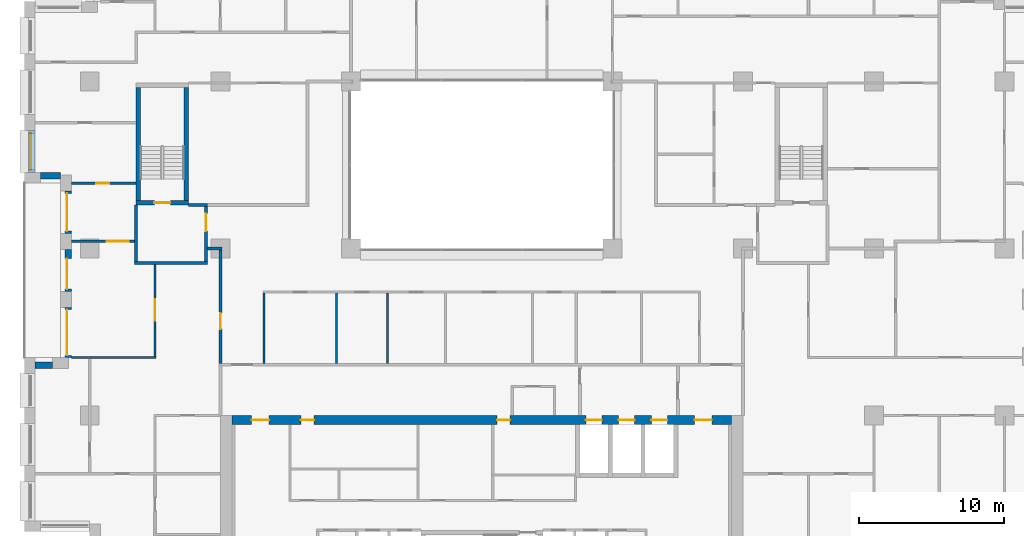
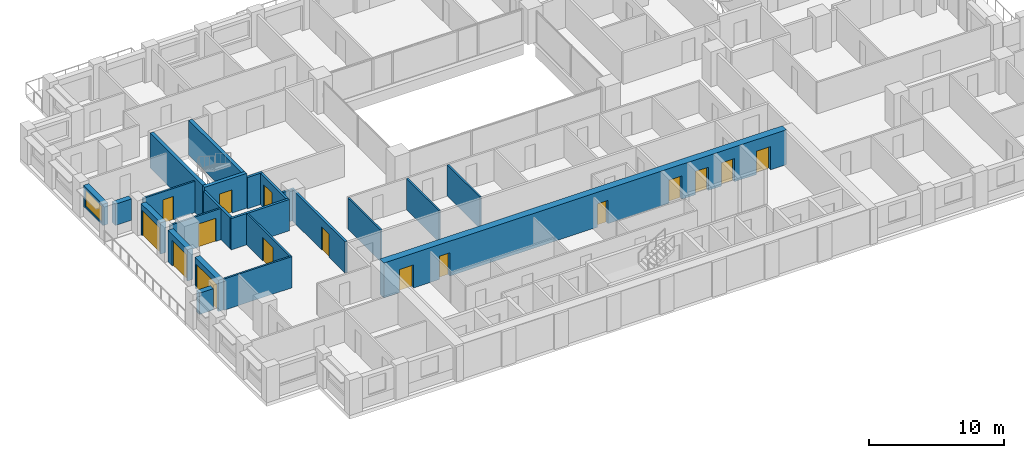
# One storey, part 9 of 17: 23 walls, 16 doors, 1 window, 17 openings.
"""IFC4 building model written with IfcOpenShell, lengths in metres."""

from ifc_helpers import new_model, si_unit, direction, frame, frame_2d, origin, place, context, subcontext, project, spatial, rectangle, extrude, material, layer, layer_set, type_object, element, fill, save


model = new_model("IFC4")

# Units and contexts
model_context = context("Model", 3, precision=1e-05, world=origin(), true_north=direction((0.0, 1.0)))
body_context = subcontext(model_context, "Body", "Model", "MODEL_VIEW")
ifc_project = project(units=[si_unit("LENGTHUNIT", "METRE"), si_unit("AREAUNIT", "SQUARE_METRE"), si_unit("VOLUMEUNIT", "CUBIC_METRE"), si_unit("PLANEANGLEUNIT", "RADIAN"), si_unit("MASSUNIT", "GRAM", prefix="KILO")], contexts=[model_context])

# Site, building, storey
site_placement = place(None, origin())
site = spatial("IfcSite", under=ifc_project, at=site_placement, CompositionType="ELEMENT")
building_placement = place(site_placement, origin())
building = spatial("IfcBuilding", under=site, at=building_placement, Name="Brigalow Station Residences", CompositionType="ELEMENT")
storey_placement = place(building_placement, frame((0.0, 0.0, 96.14990234375)))
storey = spatial("IfcBuildingStorey", under=building, at=storey_placement, Name="L27", CompositionType="ELEMENT", Elevation=96.14990234375)

# Wall, opening, window
ifc_material_1 = material(Name="Clay brick masonry", Category="masonry")
ifc_layer_1 = layer(ifc_material_1, 0.449951171875)
ifc_layer_set_1 = layer_set([ifc_layer_1], Name="BRICK INFILL WALL 450")
wall_type_1 = type_object("IfcWallType", Name="BRICK INFILL WALL 450", PredefinedType="SOLIDWALL", material=ifc_layer_set_1)
wall_1_placement = place(storey_placement, frame((5.02490234375, 32.116943359375, 0.900146484375), z_axis=(0.0, 0.0, 1.0), x_axis=(0.0, -1.0, 0.0)))
wall_1 = element("IfcWall", 1, at=wall_1_placement, inside=storey, type_object=wall_type_1, Name="L27/ewall/W-L27-41", PredefinedType="SOLIDWALL", context=body_context, shape_type="SweptSolid", body=[
    extrude(rectangle(XDim=2.866943359375, YDim=0.449951171875, at=frame_2d((1.43359375, 0.0))), origin(), (0.0, 0.0, 1.0), 1.929931640625),
])
opening_1_placement = place(wall_1_placement, frame((0.18359375, 0.0, 0.14990234375)))
opening_1 = element("IfcOpeningElement", 2, at=opening_1_placement, cuts=wall_1, Name="Opening WT-5", PredefinedType="OPENING", context=body_context, shape_type="SweptSolid", body=[
    extrude(rectangle(XDim=2.5, YDim=1.5, at=frame_2d((1.25, 0.75))), frame((0.0, 0.23486328125, 0.0), z_axis=(0.0, -1.0, 0.0), x_axis=(1.0, 0.0, 0.0)), (0.0, 0.0, 1.0), 0.469970703125),
])
ifc_material_2 = material(Name="Anodised aluminium frame with double glazing", Category="aluminium")
window_type = type_object("IfcWindowType", Name="WINDOW 2500x1500", PartitioningType="SINGLE_PANEL", PredefinedType="WINDOW", material=ifc_material_2)
window_placement = place(opening_1_placement, origin())
window = element("IfcWindow", 3, at=window_placement, inside=storey, type_object=window_type, Name="L27/window/W-L27-41", OverallHeight=1.5, OverallWidth=2.5, PartitioningType="SINGLE_PANEL", PredefinedType="WINDOW", context=body_context, shape_type="SweptSolid", body=[
    extrude(rectangle(XDim=2.5, YDim=1.5, at=frame_2d((1.25, 0.75))), frame((0.0, -0.06494140625, 0.0), z_axis=(0.0, -1.0, 0.0), x_axis=(1.0, 0.0, 0.0)), (0.0, 0.0, 1.0), 0.06005859375),
])
fill(opening_1, window)

# Wall
wall_2_placement = place(storey_placement, frame((5.60009765625, 29.02490234375, 0.900146484375), z_axis=(0.0, 0.0, 1.0), x_axis=(1.0, 0.0, 0.0)))
element("IfcWall", 4, at=wall_2_placement, inside=storey, type_object=wall_type_1, Name="L27/ewall/W-L27-42", PredefinedType="SOLIDWALL", context=body_context, shape_type="SweptSolid", body=[
    extrude(rectangle(XDim=1.39990234375, YDim=0.449951171875, at=frame_2d((0.699951171875, 0.0))), origin(), (0.0, 0.0, 1.0), 1.929931640625),
])

# Wall, opening, door
wall_3_placement = place(storey_placement, frame((7.52490234375, 27.949951171875, 0.0), z_axis=(0.0, 0.0, 1.0), x_axis=(0.0, -1.0, 0.0)))
wall_3 = element("IfcWall", 5, at=wall_3_placement, inside=storey, type_object=wall_type_1, Name="L27/ewall/W-L27-43", PredefinedType="SOLIDWALL", context=body_context, shape_type="SweptSolid", body=[
    extrude(rectangle(XDim=2.89990234375, YDim=0.449951171875, at=frame_2d((1.449951171875, 0.0))), origin(), (0.0, 0.0, 1.0), 2.830078125),
])
opening_2_placement = place(wall_3_placement, frame((0.14990234375, 0.0, 0.0)))
opening_2 = element("IfcOpeningElement", 6, at=opening_2_placement, cuts=wall_3, Name="Opening D-B2600", PredefinedType="OPENING", context=body_context, shape_type="SweptSolid", body=[
    extrude(rectangle(XDim=2.60009765625, YDim=2.300048828125, at=frame_2d((1.300048828125, 1.14990234375))), frame((0.0, 0.23486328125, 0.0), z_axis=(0.0, -1.0, 0.0), x_axis=(1.0, 0.0, 0.0)), (0.0, 0.0, 1.0), 0.469970703125),
])
ifc_material_3 = material(Name="Anodised aluminium frame with double glazing", Category="aluminium")
door_type_1 = type_object("IfcDoorType", Name="BALCONY SLIDING DOOR 2600x2300", OperationType="SLIDING_TO_LEFT", PredefinedType="DOOR", material=ifc_material_3)
door_1_placement = place(opening_2_placement, origin())
door_1 = element("IfcDoor", 7, at=door_1_placement, inside=storey, type_object=door_type_1, Name="L27/balcony-door/W-L27-43", OperationType="SLIDING_TO_LEFT", OverallHeight=2.300048828125, OverallWidth=2.60009765625, PredefinedType="DOOR", context=body_context, shape_type="SweptSolid", body=[
    extrude(rectangle(XDim=2.60009765625, YDim=2.300048828125, at=frame_2d((1.300048828125, 1.14990234375))), frame((0.0, -0.06982421875, 0.0), z_axis=(0.0, -1.0, 0.0), x_axis=(1.0, 0.0, 0.0)), (0.0, 0.0, 1.0), 0.050048828125),
])
fill(opening_2, door_1)

wall_4_placement = place(storey_placement, frame((7.52490234375, 23.949951171875, 0.0), z_axis=(0.0, 0.0, 1.0), x_axis=(0.0, -1.0, 0.0)))
wall_4 = element("IfcWall", 8, at=wall_4_placement, inside=storey, type_object=wall_type_1, Name="L27/ewall/W-L27-44", PredefinedType="SOLIDWALL", context=body_context, shape_type="SweptSolid", body=[
    extrude(rectangle(XDim=2.89990234375, YDim=0.449951171875, at=frame_2d((1.449951171875, 0.0))), origin(), (0.0, 0.0, 1.0), 2.830078125),
])
opening_3_placement = place(wall_4_placement, frame((0.635009765625, 0.0, 0.0)))
opening_3 = element("IfcOpeningElement", 9, at=opening_3_placement, cuts=wall_4, Name="Opening D-B2100", PredefinedType="OPENING", context=body_context, shape_type="SweptSolid", body=[
    extrude(rectangle(XDim=2.10009765625, YDim=2.300048828125, at=frame_2d((1.050048828125, 1.14990234375))), frame((0.0, 0.23486328125, 0.0), z_axis=(0.0, -1.0, 0.0), x_axis=(1.0, 0.0, 0.0)), (0.0, 0.0, 1.0), 0.469970703125),
])
ifc_material_4 = material(Name="Anodised aluminium frame with double glazing", Category="aluminium")
door_type_2 = type_object("IfcDoorType", Name="BALCONY SLIDING DOOR 2100x2300", OperationType="SLIDING_TO_LEFT", PredefinedType="DOOR", material=ifc_material_4)
door_2_placement = place(opening_3_placement, origin())
door_2 = element("IfcDoor", 10, at=door_2_placement, inside=storey, type_object=door_type_2, Name="L27/balcony-door/W-L27-44", OperationType="SLIDING_TO_LEFT", OverallHeight=2.300048828125, OverallWidth=2.10009765625, PredefinedType="DOOR", context=body_context, shape_type="SweptSolid", body=[
    extrude(rectangle(XDim=2.10009765625, YDim=2.300048828125, at=frame_2d((1.050048828125, 1.14990234375))), frame((0.0, -0.06982421875, 0.0), z_axis=(0.0, -1.0, 0.0), x_axis=(1.0, 0.0, 0.0)), (0.0, 0.0, 1.0), 0.050048828125),
])
fill(opening_3, door_2)

wall_5_placement = place(storey_placement, frame((7.52490234375, 19.949951171875, 0.0), z_axis=(0.0, 0.0, 1.0), x_axis=(0.0, -1.0, 0.0)))
wall_5 = element("IfcWall", 11, at=wall_5_placement, inside=storey, type_object=wall_type_1, Name="L27/ewall/W-L27-45", PredefinedType="SOLIDWALL", context=body_context, shape_type="SweptSolid", body=[
    extrude(rectangle(XDim=3.449951171875, YDim=0.449951171875, at=frame_2d((1.72509765625, 0.0))), origin(), (0.0, 0.0, 1.0), 2.830078125),
])
opening_4_placement = place(wall_5_placement, frame((0.14990234375, 0.0, 0.0)))
opening_4 = element("IfcOpeningElement", 12, at=opening_4_placement, cuts=wall_5, Name="Opening D-B3150", PredefinedType="OPENING", context=body_context, shape_type="SweptSolid", body=[
    extrude(rectangle(XDim=3.14990234375, YDim=2.300048828125, at=frame_2d((1.574951171875, 1.14990234375))), frame((0.0, 0.23486328125, 0.0), z_axis=(0.0, -1.0, 0.0), x_axis=(1.0, 0.0, 0.0)), (0.0, 0.0, 1.0), 0.469970703125),
])
ifc_material_5 = material(Name="Anodised aluminium frame with double glazing", Category="aluminium")
door_type_3 = type_object("IfcDoorType", Name="BALCONY SLIDING DOOR 3150x2300", OperationType="SLIDING_TO_LEFT", PredefinedType="DOOR", material=ifc_material_5)
door_3_placement = place(opening_4_placement, origin())
door_3 = element("IfcDoor", 13, at=door_3_placement, inside=storey, type_object=door_type_3, Name="L27/balcony-door/W-L27-45", OperationType="SLIDING_TO_LEFT", OverallHeight=2.300048828125, OverallWidth=3.14990234375, PredefinedType="DOOR", context=body_context, shape_type="SweptSolid", body=[
    extrude(rectangle(XDim=3.14990234375, YDim=2.300048828125, at=frame_2d((1.574951171875, 1.14990234375))), frame((0.0, -0.06982421875, 0.0), z_axis=(0.0, -1.0, 0.0), x_axis=(1.0, 0.0, 0.0)), (0.0, 0.0, 1.0), 0.050048828125),
])
fill(opening_4, door_3)

# Wall
wall_6_placement = place(storey_placement, frame((6.449951171875, 15.97509765625, 0.900146484375), z_axis=(0.0, 0.0, 1.0), x_axis=(-1.0, 0.0, 0.0)))
element("IfcWall", 14, at=wall_6_placement, inside=storey, type_object=wall_type_1, Name="L27/ewall/W-L27-46", PredefinedType="SOLIDWALL", context=body_context, shape_type="SweptSolid", body=[
    extrude(rectangle(XDim=1.199951171875, YDim=0.449951171875, at=frame_2d((0.60009765625, 0.0))), origin(), (0.0, 0.0, 1.0), 1.929931640625),
])

# Wall, opening, door
ifc_material_6 = material(Name="Concrete C65", Category="concrete")
ifc_layer_2 = layer(ifc_material_6, 0.300048828125)
ifc_layer_set_2 = layer_set([ifc_layer_2], Name="CORE SHEAR WALL 300 C65")
wall_type_2 = type_object("IfcWallType", Name="CORE SHEAR WALL 300 C65", PredefinedType="SHEAR", material=ifc_layer_set_2)
wall_7_placement = place(storey_placement, frame((12.199951171875, 27.14990234375, 0.0), z_axis=(0.0, 0.0, 1.0), x_axis=(1.0, 0.0, 0.0)))
wall_7 = element("IfcWall", 15, at=wall_7_placement, inside=storey, type_object=wall_type_2, Name="CORE WALL ST-S1-S L27", PredefinedType="SHEAR", context=body_context, shape_type="SweptSolid", body=[
    extrude(rectangle(XDim=3.60009765625, YDim=0.300048828125, at=frame_2d((1.800048828125, 0.0))), origin(), (0.0, 0.0, 1.0), 3.150146484375),
])
opening_5_placement = place(wall_7_placement, frame((1.25, 0.0, 0.0)))
opening_5 = element("IfcOpeningElement", 16, at=opening_5_placement, cuts=wall_7, Name="Opening D-5015", PredefinedType="OPENING", context=body_context, shape_type="SweptSolid", body=[
    extrude(rectangle(XDim=1.10009765625, YDim=2.10009765625, at=frame_2d((0.550048828125, 1.050048828125))), frame((0.0, 0.16015625, 0.0), z_axis=(0.0, -1.0, 0.0), x_axis=(1.0, 0.0, 0.0)), (0.0, 0.0, 1.0), 0.320068359375),
])
ifc_material_7 = material(Name="Steel fire door leaf in steel frame", Category="steel")
door_type_4 = type_object("IfcDoorType", Name="STAIR DOOR 1100 x 2100 FD60S", OperationType="SINGLE_SWING_LEFT", PredefinedType="DOOR", material=ifc_material_7)
door_4_placement = place(opening_5_placement, origin())
door_4 = element("IfcDoor", 17, at=door_4_placement, inside=storey, type_object=door_type_4, Name="D-5015", OperationType="SINGLE_SWING_LEFT", OverallHeight=2.10009765625, OverallWidth=1.10009765625, PredefinedType="DOOR", context=body_context, shape_type="SweptSolid", body=[
    extrude(rectangle(XDim=1.10009765625, YDim=2.10009765625, at=frame_2d((0.550048828125, 1.050048828125))), frame((0.0, 0.02490234375, 0.0), z_axis=(0.0, -1.0, 0.0), x_axis=(1.0, 0.0, 0.0)), (0.0, 0.0, 1.0), 0.050048828125),
])
fill(opening_5, door_4)

# Walls
for number, where, z_axis, x_axis, name in (
    (18, (12.35009765625, 27.300048828125, 0.0), (0.0, 0.0, 1.0), (0.0, 1.0, 0.0), "CORE WALL ST-S1-W L27"),
    (19, (15.64990234375, 27.300048828125, 0.0), (0.0, 0.0, 1.0), (0.0, 1.0, 0.0), "CORE WALL ST-S1-E L27"),
):
    element("IfcWall", number, at=place(storey_placement, frame(where, z_axis=z_axis, x_axis=x_axis)), inside=storey, type_object=wall_type_2, Name=name, PredefinedType="SHEAR", context=body_context, shape_type="SweptSolid", body=[
        extrude(rectangle(XDim=7.800048828125, YDim=0.300048828125, at=frame_2d((3.89990234375, 0.0))), origin(), (0.0, 0.0, 1.0), 3.150146484375),
    ])

# Wall, openings, doors
ifc_material_8 = material(Name="Concrete C65", Category="concrete")
ifc_layer_3 = layer(ifc_material_8, 0.60009765625)
ifc_layer_set_3 = layer_set([ifc_layer_3], Name="CORE SHEAR WALL 600 C65")
wall_type_3 = type_object("IfcWallType", Name="CORE SHEAR WALL 600 C65", PredefinedType="SHEAR", material=ifc_layer_set_3)
wall_8_placement = place(storey_placement, frame((18.800048828125, 12.199951171875, 0.0), z_axis=(0.0, 0.0, 1.0), x_axis=(1.0, 0.0, 0.0)))
wall_8 = element("IfcWall", 20, at=wall_8_placement, inside=storey, type_object=wall_type_3, Name="CORE WALL OUT-N L27", PredefinedType="SHEAR", context=body_context, shape_type="SweptSolid", body=[
    extrude(rectangle(XDim=34.39990234375, YDim=0.60009765625, at=frame_2d((17.199951171875, 0.0))), origin(), (0.0, 0.0, 1.0), 3.150146484375),
])
opening_6_placement = place(wall_8_placement, frame((24.375, 0.0, 0.0)))
opening_6 = element("IfcOpeningElement", 21, at=opening_6_placement, cuts=wall_8, Name="Opening LD-LF1", PredefinedType="OPENING", context=body_context, shape_type="SweptSolid", body=[
    extrude(rectangle(XDim=1.10009765625, YDim=2.10009765625, at=frame_2d((0.550048828125, 1.050048828125))), frame((0.0, 0.31005859375, 0.0), z_axis=(0.0, -1.0, 0.0), x_axis=(1.0, 0.0, 0.0)), (0.0, 0.0, 1.0), 0.6201171875),
])
opening_7_placement = place(wall_8_placement, frame((26.625, 0.0, 0.0)))
opening_7 = element("IfcOpeningElement", 22, at=opening_7_placement, cuts=wall_8, Name="Opening LD-LF2", PredefinedType="OPENING", context=body_context, shape_type="SweptSolid", body=[
    extrude(rectangle(XDim=1.10009765625, YDim=2.10009765625, at=frame_2d((0.550048828125, 1.050048828125))), frame((0.0, 0.31005859375, 0.0), z_axis=(0.0, -1.0, 0.0), x_axis=(1.0, 0.0, 0.0)), (0.0, 0.0, 1.0), 0.6201171875),
])
opening_8_placement = place(wall_8_placement, frame((28.875, 0.0, 0.0)))
opening_8 = element("IfcOpeningElement", 23, at=opening_8_placement, cuts=wall_8, Name="Opening LD-LG1", PredefinedType="OPENING", context=body_context, shape_type="SweptSolid", body=[
    extrude(rectangle(XDim=1.10009765625, YDim=2.10009765625, at=frame_2d((0.550048828125, 1.050048828125))), frame((0.0, 0.31005859375, 0.0), z_axis=(0.0, -1.0, 0.0), x_axis=(1.0, 0.0, 0.0)), (0.0, 0.0, 1.0), 0.6201171875),
])
opening_9_placement = place(wall_8_placement, frame((4.75, 0.0, 0.0)))
opening_9 = element("IfcOpeningElement", 24, at=opening_9_placement, cuts=wall_8, Name="Opening D-5118", PredefinedType="OPENING", context=body_context, shape_type="SweptSolid", body=[
    extrude(rectangle(XDim=0.89990234375, YDim=2.10009765625, at=frame_2d((0.449951171875, 1.050048828125))), frame((0.0, 0.31005859375, 0.0), z_axis=(0.0, -1.0, 0.0), x_axis=(1.0, 0.0, 0.0)), (0.0, 0.0, 1.0), 0.6201171875),
])
opening_10_placement = place(wall_8_placement, frame((18.25, 0.0, 0.0)))
opening_10 = element("IfcOpeningElement", 25, at=opening_10_placement, cuts=wall_8, Name="Opening D-5119", PredefinedType="OPENING", context=body_context, shape_type="SweptSolid", body=[
    extrude(rectangle(XDim=0.89990234375, YDim=2.10009765625, at=frame_2d((0.449951171875, 1.050048828125))), frame((0.0, 0.31005859375, 0.0), z_axis=(0.0, -1.0, 0.0), x_axis=(1.0, 0.0, 0.0)), (0.0, 0.0, 1.0), 0.6201171875),
])
opening_11_placement = place(wall_8_placement, frame((1.35009765625, 0.0, 0.0)))
opening_11 = element("IfcOpeningElement", 26, at=opening_11_placement, cuts=wall_8, Name="Opening D-5011", PredefinedType="OPENING", context=body_context, shape_type="SweptSolid", body=[
    extrude(rectangle(XDim=1.199951171875, YDim=2.10009765625, at=frame_2d((0.60009765625, 1.050048828125))), frame((0.0, 0.31005859375, 0.0), z_axis=(0.0, -1.0, 0.0), x_axis=(1.0, 0.0, 0.0)), (0.0, 0.0, 1.0), 0.6201171875),
])
opening_12_placement = place(wall_8_placement, frame((31.85009765625, 0.0, 0.0)))
opening_12 = element("IfcOpeningElement", 27, at=opening_12_placement, cuts=wall_8, Name="Opening D-5012", PredefinedType="OPENING", context=body_context, shape_type="SweptSolid", body=[
    extrude(rectangle(XDim=1.199951171875, YDim=2.10009765625, at=frame_2d((0.60009765625, 1.050048828125))), frame((0.0, 0.31005859375, 0.0), z_axis=(0.0, -1.0, 0.0), x_axis=(1.0, 0.0, 0.0)), (0.0, 0.0, 1.0), 0.6201171875),
])
ifc_material_9 = material(Name="Steel fire door leaf in steel frame", Category="steel")
door_type_5 = type_object("IfcDoorType", Name="CORE CORRIDOR DOOR 1200 x 2100 FD60S", OperationType="SINGLE_SWING_LEFT", PredefinedType="DOOR", material=ifc_material_9)
door_5_placement = place(opening_11_placement, frame((1.199951171875, 0.0, 0.0), z_axis=(0.0, 0.0, 1.0), x_axis=(-1.0, 0.0, 0.0)))
door_5 = element("IfcDoor", 28, at=door_5_placement, inside=storey, type_object=door_type_5, Name="D-5011", OperationType="SINGLE_SWING_LEFT", OverallHeight=2.10009765625, OverallWidth=1.199951171875, PredefinedType="DOOR", context=body_context, shape_type="SweptSolid", body=[
    extrude(rectangle(XDim=1.199951171875, YDim=2.10009765625, at=frame_2d((0.60009765625, 1.050048828125))), frame((0.0, 0.02490234375, 0.0), z_axis=(0.0, -1.0, 0.0), x_axis=(1.0, 0.0, 0.0)), (0.0, 0.0, 1.0), 0.050048828125),
])
fill(opening_11, door_5)
door_6_placement = place(opening_12_placement, frame((1.199951171875, 0.0, 0.0), z_axis=(0.0, 0.0, 1.0), x_axis=(-1.0, 0.0, 0.0)))
door_6 = element("IfcDoor", 29, at=door_6_placement, inside=storey, type_object=door_type_5, Name="D-5012", OperationType="SINGLE_SWING_LEFT", OverallHeight=2.10009765625, OverallWidth=1.199951171875, PredefinedType="DOOR", context=body_context, shape_type="SweptSolid", body=[
    extrude(rectangle(XDim=1.199951171875, YDim=2.10009765625, at=frame_2d((0.60009765625, 1.050048828125))), frame((0.0, 0.02490234375, 0.0), z_axis=(0.0, -1.0, 0.0), x_axis=(1.0, 0.0, 0.0)), (0.0, 0.0, 1.0), 0.050048828125),
])
fill(opening_12, door_6)
ifc_material_10 = material(Name="Stainless steel sliding door leaves", Category="steel")
door_type_6 = type_object("IfcDoorType", Name="LIFT LANDING DOOR 1100 x 2100", OperationType="DOUBLE_DOOR_SLIDING", PredefinedType="DOOR", material=ifc_material_10)
door_7_placement = place(opening_6_placement, origin())
door_7 = element("IfcDoor", 30, at=door_7_placement, inside=storey, type_object=door_type_6, Name="LANDING DOOR LF1", OperationType="DOUBLE_DOOR_SLIDING", OverallHeight=2.10009765625, OverallWidth=1.10009765625, PredefinedType="DOOR", context=body_context, shape_type="SweptSolid", body=[
    extrude(rectangle(XDim=1.10009765625, YDim=2.10009765625, at=frame_2d((0.550048828125, 1.050048828125))), frame((0.0, 0.02490234375, 0.0), z_axis=(0.0, -1.0, 0.0), x_axis=(1.0, 0.0, 0.0)), (0.0, 0.0, 1.0), 0.050048828125),
])
fill(opening_6, door_7)
door_8_placement = place(opening_7_placement, origin())
door_8 = element("IfcDoor", 31, at=door_8_placement, inside=storey, type_object=door_type_6, Name="LANDING DOOR LF2", OperationType="DOUBLE_DOOR_SLIDING", OverallHeight=2.10009765625, OverallWidth=1.10009765625, PredefinedType="DOOR", context=body_context, shape_type="SweptSolid", body=[
    extrude(rectangle(XDim=1.10009765625, YDim=2.10009765625, at=frame_2d((0.550048828125, 1.050048828125))), frame((0.0, 0.02490234375, 0.0), z_axis=(0.0, -1.0, 0.0), x_axis=(1.0, 0.0, 0.0)), (0.0, 0.0, 1.0), 0.050048828125),
])
fill(opening_7, door_8)
door_9_placement = place(opening_8_placement, origin())
door_9 = element("IfcDoor", 32, at=door_9_placement, inside=storey, type_object=door_type_6, Name="LANDING DOOR LG1", OperationType="DOUBLE_DOOR_SLIDING", OverallHeight=2.10009765625, OverallWidth=1.10009765625, PredefinedType="DOOR", context=body_context, shape_type="SweptSolid", body=[
    extrude(rectangle(XDim=1.10009765625, YDim=2.10009765625, at=frame_2d((0.550048828125, 1.050048828125))), frame((0.0, 0.02490234375, 0.0), z_axis=(0.0, -1.0, 0.0), x_axis=(1.0, 0.0, 0.0)), (0.0, 0.0, 1.0), 0.050048828125),
])
fill(opening_8, door_9)
ifc_material_11 = material(Name="Steel door leaf in steel frame", Category="steel")
door_type_7 = type_object("IfcDoorType", Name="SERVICE ROOM DOOR 900 x 2100 FD60", OperationType="SINGLE_SWING_LEFT", PredefinedType="DOOR", material=ifc_material_11)
door_10_placement = place(opening_9_placement, frame((0.89990234375, 0.0, 0.0), z_axis=(0.0, 0.0, 1.0), x_axis=(-1.0, 0.0, 0.0)))
door_10 = element("IfcDoor", 33, at=door_10_placement, inside=storey, type_object=door_type_7, Name="D-5118", OperationType="SINGLE_SWING_RIGHT", OverallHeight=2.10009765625, OverallWidth=0.89990234375, PredefinedType="DOOR", context=body_context, shape_type="SweptSolid", body=[
    extrude(rectangle(XDim=0.89990234375, YDim=2.10009765625, at=frame_2d((0.449951171875, 1.050048828125))), frame((0.0, 0.02490234375, 0.0), z_axis=(0.0, -1.0, 0.0), x_axis=(1.0, 0.0, 0.0)), (0.0, 0.0, 1.0), 0.050048828125),
])
fill(opening_9, door_10)
door_11_placement = place(opening_10_placement, frame((0.89990234375, 0.0, 0.0), z_axis=(0.0, 0.0, 1.0), x_axis=(-1.0, 0.0, 0.0)))
door_11 = element("IfcDoor", 34, at=door_11_placement, inside=storey, type_object=door_type_7, Name="D-5119", OperationType="SINGLE_SWING_RIGHT", OverallHeight=2.10009765625, OverallWidth=0.89990234375, PredefinedType="DOOR", context=body_context, shape_type="SweptSolid", body=[
    extrude(rectangle(XDim=0.89990234375, YDim=2.10009765625, at=frame_2d((0.449951171875, 1.050048828125))), frame((0.0, 0.02490234375, 0.0), z_axis=(0.0, -1.0, 0.0), x_axis=(1.0, 0.0, 0.0)), (0.0, 0.0, 1.0), 0.050048828125),
])
fill(opening_10, door_11)

# Walls
ifc_material_12 = material(Name="Concrete blockwork", Category="masonry")
ifc_layer_4 = layer(ifc_material_12, 0.199951171875)
ifc_layer_set_4 = layer_set([ifc_layer_4], Name="FIRE RATED CORE PARTITION 200")
wall_type_4 = type_object("IfcWallType", Name="FIRE RATED CORE PARTITION 200", PredefinedType="PARTITIONING", material=ifc_layer_set_4)
wall_9_placement = place(storey_placement, frame((12.10009765625, 23.0, 0.0), z_axis=(0.0, 0.0, 1.0), x_axis=(1.0, 0.0, 0.0)))
element("IfcWall", 35, at=wall_9_placement, inside=storey, type_object=wall_type_4, Name="PW-5023", PredefinedType="PARTITIONING", context=body_context, shape_type="SweptSolid", body=[
    extrude(rectangle(XDim=5.0, YDim=0.199951171875, at=frame_2d((2.5, 0.0))), origin(), (0.0, 0.0, 1.0), 2.830078125),
])
wall_10_placement = place(storey_placement, frame((15.800048828125, 27.0, 0.0), z_axis=(0.0, 0.0, 1.0), x_axis=(1.0, 0.0, 0.0)))
element("IfcWall", 36, at=wall_10_placement, inside=storey, type_object=wall_type_4, Name="PW-5025", PredefinedType="PARTITIONING", context=body_context, shape_type="SweptSolid", body=[
    extrude(rectangle(XDim=1.300048828125, YDim=0.199951171875, at=frame_2d((0.64990234375, 0.0))), origin(), (0.0, 0.0, 1.0), 2.830078125),
])
wall_11_placement = place(storey_placement, frame((12.199951171875, 23.10009765625, 0.0), z_axis=(0.0, 0.0, 1.0), x_axis=(0.0, 1.0, 0.0)))
element("IfcWall", 37, at=wall_11_placement, inside=storey, type_object=wall_type_4, Name="PW-5034", PredefinedType="PARTITIONING", context=body_context, shape_type="SweptSolid", body=[
    extrude(rectangle(XDim=3.89990234375, YDim=0.199951171875, at=frame_2d((1.949951171875, 0.0))), origin(), (0.0, 0.0, 1.0), 2.830078125),
])

# Wall, opening, door
wall_12_placement = place(storey_placement, frame((17.0, 23.10009765625, 0.0), z_axis=(0.0, 0.0, 1.0), x_axis=(0.0, 1.0, 0.0)))
wall_12 = element("IfcWall", 38, at=wall_12_placement, inside=storey, type_object=wall_type_4, Name="PW-5035", PredefinedType="PARTITIONING", context=body_context, shape_type="SweptSolid", body=[
    extrude(rectangle(XDim=3.7998046875, YDim=0.199951171875, at=frame_2d((1.89990234375, 0.0))), origin(), (0.0, 0.0, 1.0), 2.830078125),
])
opening_13_placement = place(wall_12_placement, frame((2.10009765625, 0.0, 0.0)))
opening_13 = element("IfcOpeningElement", 39, at=opening_13_placement, cuts=wall_12, Name="Opening D-5016", PredefinedType="OPENING", context=body_context, shape_type="SweptSolid", body=[
    extrude(rectangle(XDim=1.199951171875, YDim=2.10009765625, at=frame_2d((0.60009765625, 1.050048828125))), frame((0.0, 0.10986328125, 0.0), z_axis=(0.0, -1.0, 0.0), x_axis=(1.0, 0.0, 0.0)), (0.0, 0.0, 1.0), 0.219970703125),
])
ifc_material_13 = material(Name="Steel fire door leaf in steel frame", Category="steel")
door_type_8 = type_object("IfcDoorType", Name="STAIR LOBBY DOOR 1200 x 2100 FD60S", OperationType="SINGLE_SWING_LEFT", PredefinedType="DOOR", material=ifc_material_13)
door_12_placement = place(opening_13_placement, origin())
door_12 = element("IfcDoor", 40, at=door_12_placement, inside=storey, type_object=door_type_8, Name="D-5016", OperationType="SINGLE_SWING_RIGHT", OverallHeight=2.10009765625, OverallWidth=1.199951171875, PredefinedType="DOOR", context=body_context, shape_type="SweptSolid", body=[
    extrude(rectangle(XDim=1.199951171875, YDim=2.10009765625, at=frame_2d((0.60009765625, 1.050048828125))), frame((0.0, 0.02490234375, 0.0), z_axis=(0.0, -1.0, 0.0), x_axis=(1.0, 0.0, 0.0)), (0.0, 0.0, 1.0), 0.050048828125),
])
fill(opening_13, door_12)

# Wall
ifc_material_14 = material(Name="Plasterboard on steel stud partition", Category="steel")
ifc_layer_5 = layer(ifc_material_14, 0.14990234375)
ifc_layer_set_5 = layer_set([ifc_layer_5], Name="FLAT PARTITION 150")
wall_type_5 = type_object("IfcWallType", Name="FLAT PARTITION 150", PredefinedType="PARTITIONING", material=ifc_layer_set_5)
wall_13_placement = place(storey_placement, frame((7.75, 16.5, 0.0), z_axis=(0.0, 0.0, 1.0), x_axis=(1.0, 0.0, 0.0)))
element("IfcWall", 41, at=wall_13_placement, inside=storey, type_object=wall_type_5, Name="PW-2B14", PredefinedType="PARTITIONING", context=body_context, shape_type="SweptSolid", body=[
    extrude(rectangle(XDim=5.824951171875, YDim=0.14990234375, at=frame_2d((2.91259765625, 0.0))), origin(), (0.0, 0.0, 1.0), 2.830078125),
])

# Wall, opening, door
wall_14_placement = place(storey_placement, frame((7.75, 24.5, 0.0), z_axis=(0.0, 0.0, 1.0), x_axis=(1.0, 0.0, 0.0)))
wall_14 = element("IfcWall", 42, at=wall_14_placement, inside=storey, type_object=wall_type_5, Name="PW-2B18", PredefinedType="PARTITIONING", context=body_context, shape_type="SweptSolid", body=[
    extrude(rectangle(XDim=4.35009765625, YDim=0.14990234375, at=frame_2d((2.175048828125, 0.0))), origin(), (0.0, 0.0, 1.0), 2.830078125),
])
opening_14_placement = place(wall_14_placement, frame((2.425048828125, 0.0, 0.0)))
opening_14 = element("IfcOpeningElement", 43, at=opening_14_placement, cuts=wall_14, Name="Opening D-2B10", PredefinedType="OPENING", context=body_context, shape_type="SweptSolid", body=[
    extrude(rectangle(XDim=1.5, YDim=2.10009765625, at=frame_2d((0.75, 1.050048828125))), frame((0.0, 0.0849609375, 0.0), z_axis=(0.0, -1.0, 0.0), x_axis=(1.0, 0.0, 0.0)), (0.0, 0.0, 1.0), 0.169921875),
])
ifc_material_15 = material(Name="Solid-core timber door leaf", Category="wood")
door_type_9 = type_object("IfcDoorType", Name="INTERNAL DOUBLE DOOR 1500 x 2100", OperationType="DOUBLE_DOOR_SINGLE_SWING", PredefinedType="DOOR", material=ifc_material_15)
door_13_placement = place(opening_14_placement, origin())
door_13 = element("IfcDoor", 44, at=door_13_placement, inside=storey, type_object=door_type_9, Name="D-2B10", OperationType="DOUBLE_DOOR_SINGLE_SWING", OverallHeight=2.10009765625, OverallWidth=1.5, PredefinedType="DOOR", context=body_context, shape_type="SweptSolid", body=[
    extrude(rectangle(XDim=1.5, YDim=2.10009765625, at=frame_2d((0.75, 1.050048828125))), frame((0.0, 0.02490234375, 0.0), z_axis=(0.0, -1.0, 0.0), x_axis=(1.0, 0.0, 0.0)), (0.0, 0.0, 1.0), 0.050048828125),
])
fill(opening_14, door_13)

wall_15_placement = place(storey_placement, frame((7.75, 28.5, 0.0), z_axis=(0.0, 0.0, 1.0), x_axis=(1.0, 0.0, 0.0)))
wall_15 = element("IfcWall", 45, at=wall_15_placement, inside=storey, type_object=wall_type_5, Name="PW-2B21", PredefinedType="PARTITIONING", context=body_context, shape_type="SweptSolid", body=[
    extrude(rectangle(XDim=4.449951171875, YDim=0.14990234375, at=frame_2d((2.22509765625, 0.0))), origin(), (0.0, 0.0, 1.0), 2.830078125),
])
opening_15_placement = place(wall_15_placement, frame((1.699951171875, 0.0, 0.0)))
opening_15 = element("IfcOpeningElement", 46, at=opening_15_placement, cuts=wall_15, Name="Opening D-2B11", PredefinedType="OPENING", context=body_context, shape_type="SweptSolid", body=[
    extrude(rectangle(XDim=0.89990234375, YDim=2.10009765625, at=frame_2d((0.449951171875, 1.050048828125))), frame((0.0, 0.0849609375, 0.0), z_axis=(0.0, -1.0, 0.0), x_axis=(1.0, 0.0, 0.0)), (0.0, 0.0, 1.0), 0.169921875),
])
ifc_material_16 = material(Name="Solid-core timber door leaf", Category="wood")
door_type_10 = type_object("IfcDoorType", Name="INTERNAL DOOR 900 x 2100", OperationType="SINGLE_SWING_LEFT", PredefinedType="DOOR", material=ifc_material_16)
door_14_placement = place(opening_15_placement, frame((0.89990234375, 0.0, 0.0), z_axis=(0.0, 0.0, 1.0), x_axis=(-1.0, 0.0, 0.0)))
door_14 = element("IfcDoor", 47, at=door_14_placement, inside=storey, type_object=door_type_10, Name="D-2B11", OperationType="SINGLE_SWING_RIGHT", OverallHeight=2.10009765625, OverallWidth=0.89990234375, PredefinedType="DOOR", context=body_context, shape_type="SweptSolid", body=[
    extrude(rectangle(XDim=0.89990234375, YDim=2.10009765625, at=frame_2d((0.449951171875, 1.050048828125))), frame((0.0, 0.02490234375, 0.0), z_axis=(0.0, -1.0, 0.0), x_axis=(1.0, 0.0, 0.0)), (0.0, 0.0, 1.0), 0.050048828125),
])
fill(opening_15, door_14)

# Wall
wall_16_placement = place(storey_placement, frame((21.0, 16.10009765625, 0.0), z_axis=(0.0, 0.0, 1.0), x_axis=(0.0, 1.0, 0.0)))
element("IfcWall", 48, at=wall_16_placement, inside=storey, type_object=wall_type_5, Name="PW-2B41", PredefinedType="PARTITIONING", context=body_context, shape_type="SweptSolid", body=[
    extrude(rectangle(XDim=4.824951171875, YDim=0.14990234375, at=frame_2d((2.41259765625, 0.0))), origin(), (0.0, 0.0, 1.0), 2.830078125),
])

# Wall, opening, door
wall_17_placement = place(storey_placement, frame((13.5, 16.574951171875, 0.0), z_axis=(0.0, 0.0, 1.0), x_axis=(0.0, 1.0, 0.0)))
wall_17 = element("IfcWall", 49, at=wall_17_placement, inside=storey, type_object=wall_type_5, Name="PW-2B47", PredefinedType="PARTITIONING", context=body_context, shape_type="SweptSolid", body=[
    extrude(rectangle(XDim=6.324951171875, YDim=0.14990234375, at=frame_2d((3.16259765625, 0.0))), origin(), (0.0, 0.0, 1.0), 2.830078125),
])
opening_16_placement = place(wall_17_placement, frame((2.449951171875, 0.0, 0.0)))
opening_16 = element("IfcOpeningElement", 50, at=opening_16_placement, cuts=wall_17, Name="Opening D-2B09", PredefinedType="OPENING", context=body_context, shape_type="SweptSolid", body=[
    extrude(rectangle(XDim=1.5, YDim=2.10009765625, at=frame_2d((0.75, 1.050048828125))), frame((0.0, 0.0849609375, 0.0), z_axis=(0.0, -1.0, 0.0), x_axis=(1.0, 0.0, 0.0)), (0.0, 0.0, 1.0), 0.169921875),
])
door_15_placement = place(opening_16_placement, origin())
door_15 = element("IfcDoor", 51, at=door_15_placement, inside=storey, type_object=door_type_9, Name="D-2B09", OperationType="DOUBLE_DOOR_SINGLE_SWING", OverallHeight=2.10009765625, OverallWidth=1.5, PredefinedType="DOOR", context=body_context, shape_type="SweptSolid", body=[
    extrude(rectangle(XDim=1.5, YDim=2.10009765625, at=frame_2d((0.75, 1.050048828125))), frame((0.0, 0.02490234375, 0.0), z_axis=(0.0, -1.0, 0.0), x_axis=(1.0, 0.0, 0.0)), (0.0, 0.0, 1.0), 0.050048828125),
])
fill(opening_16, door_15)

# Walls
for number, where, z_axis, x_axis, name in (
    (52, (26.0, 16.10009765625, 0.0), (0.0, 0.0, 1.0), (0.0, 1.0, 0.0), "PW-2B69"),
    (53, (29.5, 16.10009765625, 0.0), (0.0, 0.0, 1.0), (0.0, 1.0, 0.0), "PW-2B70"),
):
    element("IfcWall", number, at=place(storey_placement, frame(where, z_axis=z_axis, x_axis=x_axis)), inside=storey, type_object=wall_type_5, Name=name, PredefinedType="PARTITIONING", context=body_context, shape_type="SweptSolid", body=[
        extrude(rectangle(XDim=4.824951171875, YDim=0.14990234375, at=frame_2d((2.41259765625, 0.0))), origin(), (0.0, 0.0, 1.0), 2.830078125),
    ])
ifc_material_17 = material(Name="Plasterboard on steel stud partition", Category="steel")
ifc_layer_6 = layer(ifc_material_17, 0.199951171875)
ifc_layer_set_6 = layer_set([ifc_layer_6], Name="PARTY AND CORRIDOR WALL 200")
wall_type_6 = type_object("IfcWallType", Name="PARTY AND CORRIDOR WALL 200", PredefinedType="PARTITIONING", material=ifc_layer_set_6)
wall_18_placement = place(storey_placement, frame((17.10009765625, 24.0, 0.0), z_axis=(0.0, 0.0, 1.0), x_axis=(1.0, 0.0, 0.0)))
element("IfcWall", 54, at=wall_18_placement, inside=storey, type_object=wall_type_6, Name="PW-2B02", PredefinedType="PARTITIONING", context=body_context, shape_type="SweptSolid", body=[
    extrude(rectangle(XDim=1.0, YDim=0.199951171875, at=frame_2d((0.5, 0.0))), origin(), (0.0, 0.0, 1.0), 2.830078125),
])

# Wall, opening, door
wall_19_placement = place(storey_placement, frame((18.0, 16.10009765625, 0.0), z_axis=(0.0, 0.0, 1.0), x_axis=(0.0, 1.0, 0.0)))
wall_19 = element("IfcWall", 55, at=wall_19_placement, inside=storey, type_object=wall_type_6, Name="PW-2B39", PredefinedType="PARTITIONING", context=body_context, shape_type="SweptSolid", body=[
    extrude(rectangle(XDim=7.7998046875, YDim=0.199951171875, at=frame_2d((3.89990234375, 0.0))), origin(), (0.0, 0.0, 1.0), 2.830078125),
])
opening_17_placement = place(wall_19_placement, frame((2.35009765625, 0.0, 0.0)))
opening_17 = element("IfcOpeningElement", 56, at=opening_17_placement, cuts=wall_19, Name="Opening D-2B03", PredefinedType="OPENING", context=body_context, shape_type="SweptSolid", body=[
    extrude(rectangle(XDim=1.10009765625, YDim=2.10009765625, at=frame_2d((0.550048828125, 1.050048828125))), frame((0.0, 0.10986328125, 0.0), z_axis=(0.0, -1.0, 0.0), x_axis=(1.0, 0.0, 0.0)), (0.0, 0.0, 1.0), 0.219970703125),
])
ifc_material_18 = material(Name="Solid-core timber door leaf", Category="wood")
door_type_11 = type_object("IfcDoorType", Name="FLAT ENTRANCE DOOR 1100 x 2100 FRL -/60/30", OperationType="SINGLE_SWING_LEFT", PredefinedType="DOOR", material=ifc_material_18)
door_16_placement = place(opening_17_placement, origin())
door_16 = element("IfcDoor", 57, at=door_16_placement, inside=storey, type_object=door_type_11, Name="D-2B03", OperationType="SINGLE_SWING_RIGHT", OverallHeight=2.10009765625, OverallWidth=1.10009765625, PredefinedType="DOOR", context=body_context, shape_type="SweptSolid", body=[
    extrude(rectangle(XDim=1.10009765625, YDim=2.10009765625, at=frame_2d((0.550048828125, 1.050048828125))), frame((0.0, 0.02490234375, 0.0), z_axis=(0.0, -1.0, 0.0), x_axis=(1.0, 0.0, 0.0)), (0.0, 0.0, 1.0), 0.050048828125),
])
fill(opening_17, door_16)

save(model, "model.ifc")
